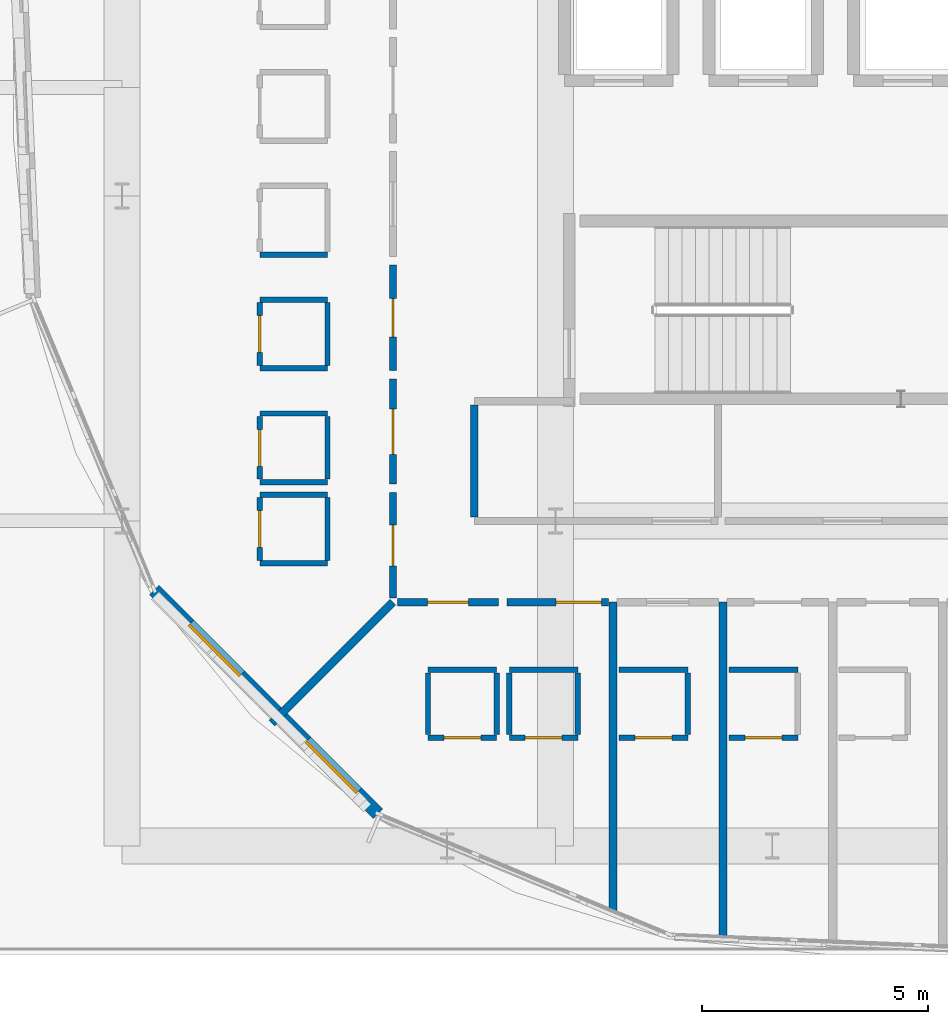
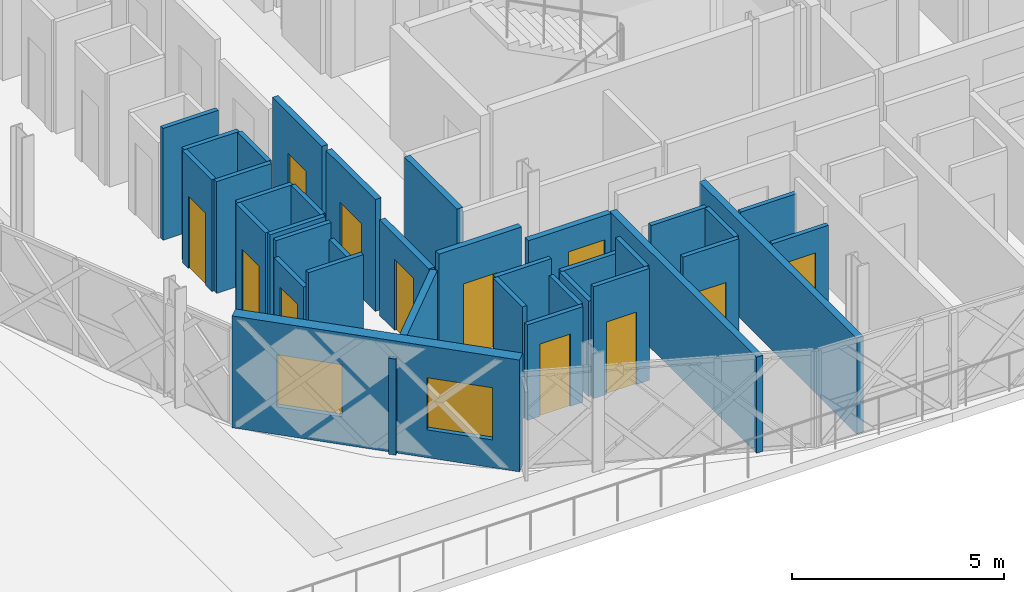
# One storey, part 30 of 53: 36 walls, 12 doors, 2 windows, 14 openings.
"""IFC4 building model written with IfcOpenShell, lengths in metres."""

import ifcopenshell
import ifcopenshell.guid

model = None  # the IFC model being written
_history = None  # IfcOwnerHistory: only IFC2X3 demands one
_inside = {}  # id of a spatial element -> (the spatial element, [elements in it])
_under = {}  # id of a project, library or spatial element -> (it, [spatial elements below it])
_declared = {}  # id of a project -> (the project, [libraries it declares])
_typed = {}  # id of a type object -> (the type object, [elements of that type])
_made_of = {}  # id of a material, layer set ... -> (it, [elements and type objects made of it])


def new_model(schema):
    """Start an empty IFC model of exactly this schema.

    Asked for "IFC4X3", IfcOpenShell would pick the latest addendum, in which some entities
    have other attributes; the version numbers below select the first issue.
    IFC2X3 requires an IfcOwnerHistory on every rooted entity: one is made here for all.
    """
    global model, _history
    if schema == "IFC4X3":
        model = ifcopenshell.file(schema_version=(4, 3, 0, 0))
    else:
        model = ifcopenshell.file(schema=schema)
    _inside.clear()
    _under.clear()
    _declared.clear()
    _typed.clear()
    _made_of.clear()
    _history = None
    if model.schema == "IFC2X3":
        org = make("IfcOrganization", Name="unknown")
        user = make(
            "IfcPersonAndOrganization",
            ThePerson=make("IfcPerson", FamilyName="unknown"),
            TheOrganization=org,
        )
        app = make(
            "IfcApplication",
            ApplicationDeveloper=org,
            Version="unknown",
            ApplicationFullName="unknown",
            ApplicationIdentifier="unknown",
        )
        _history = make(
            "IfcOwnerHistory",
            OwningUser=user,
            OwningApplication=app,
            ChangeAction="ADDED",
            CreationDate=0,
        )
    return model


def make(cls, **values):
    """One entity of the class cls with the attributes given. An attribute that is None is left unset."""
    return model.create_entity(
        cls, **{name: value for name, value in values.items() if value is not None}
    )


def rooted(cls, **values):
    """An entity with a GlobalId (a new one), such as an element, a storey or a relation."""
    return make(cls, GlobalId=ifcopenshell.guid.new(), OwnerHistory=_history, **values)


def si_unit(unit_type, name, prefix=None):
    """IfcSIUnit, for example si_unit("LENGTHUNIT", "METRE", prefix="MILLI")."""
    return make("IfcSIUnit", UnitType=unit_type, Prefix=prefix, Name=name)


def assignment(units):
    """IfcUnitAssignment: the units of a project."""
    return None if units is None else make("IfcUnitAssignment", Units=units)


def point(xyz):
    """IfcCartesianPoint."""
    return None if xyz is None else make("IfcCartesianPoint", Coordinates=xyz)


def direction(xyz):
    """IfcDirection."""
    return None if xyz is None else make("IfcDirection", DirectionRatios=xyz)


def frame(location, z_axis=None, x_axis=None):
    """IfcAxis2Placement3D, a coordinate frame: its origin and axes. An axis left out is left unset."""
    return make(
        "IfcAxis2Placement3D",
        Location=point(location),
        Axis=direction(z_axis),
        RefDirection=direction(x_axis),
    )


def frame_2d(location, x_axis=None):
    """IfcAxis2Placement2D, a coordinate frame in the plane: its origin and x axis."""
    return make(
        "IfcAxis2Placement2D", Location=point(location), RefDirection=direction(x_axis)
    )


def origin():
    """The frame at (0, 0, 0) with its axes left unset."""
    return frame((0.0, 0.0, 0.0))


def place(relative_to, where):
    """IfcLocalPlacement: puts the frame where relative to a parent placement (None: the world)."""
    return make(
        "IfcLocalPlacement", PlacementRelTo=relative_to, RelativePlacement=where
    )


def context(
    kind, dimensions, precision=None, world=None, true_north=None, identifier=None
):
    """IfcGeometricRepresentationContext, for example the 3D "Model" context."""
    return make(
        "IfcGeometricRepresentationContext",
        ContextIdentifier=identifier,
        ContextType=kind,
        CoordinateSpaceDimension=dimensions,
        Precision=precision,
        WorldCoordinateSystem=world,
        TrueNorth=true_north,
    )


def subcontext(parent, identifier, kind, view, scale=None):
    """IfcGeometricRepresentationSubContext, for example "Body" below "Model"."""
    return make(
        "IfcGeometricRepresentationSubContext",
        ContextIdentifier=identifier,
        ContextType=kind,
        ParentContext=parent,
        TargetScale=scale,
        TargetView=view,
    )


def project(units=None, contexts=None):
    """IfcProject with its units and contexts."""
    return rooted(
        "IfcProject",
        Name="project",
        RepresentationContexts=contexts,
        UnitsInContext=assignment(units),
    )


def spatial(cls, under=None, at=None, **own):
    """A site, building, storey or space (cls), placed at a placement, below another one or the project."""
    s = rooted(cls, ObjectPlacement=at, **own)
    if under is not None:
        _under.setdefault(under.id(), (under, []))[1].append(s)
    return s


def profile(cls, at=None, kind="AREA", **sizes):
    """A parametric profile (cls). Its sizes go by their IFC names, for example OverallWidth=200.0."""
    return make(cls, ProfileType=kind, Position=at, **sizes)


def rectangle(**sizes):
    """IfcRectangleProfileDef."""
    return profile("IfcRectangleProfileDef", **sizes)


def extrude(swept, where, along, depth):
    """IfcExtrudedAreaSolid: the profile swept, set in the frame where, extruded along a direction by depth."""
    return make(
        "IfcExtrudedAreaSolid",
        SweptArea=swept,
        Position=where,
        ExtrudedDirection=direction(along),
        Depth=depth,
    )


def shape(context_of_items, identifier, shape_type, items):
    """IfcShapeRepresentation: the items that make up one representation, for example the "Body"."""
    return make(
        "IfcShapeRepresentation",
        ContextOfItems=context_of_items,
        RepresentationIdentifier=identifier,
        RepresentationType=shape_type,
        Items=items,
    )


def material(Name=None, Category=None):
    """IfcMaterial."""
    return make("IfcMaterial", Name=Name, Category=Category)


def layer(
    of_material, thickness, ventilated=None, Name=None, Category=None, Priority=None
):
    """IfcMaterialLayer: one layer of a wall or slab, of a material (None: an air gap)."""
    return make(
        "IfcMaterialLayer",
        Material=of_material,
        LayerThickness=thickness,
        IsVentilated=ventilated,
        Name=Name,
        Category=Category,
        Priority=Priority,
    )


def layer_set(layers, Name=None):
    """IfcMaterialLayerSet."""
    return make("IfcMaterialLayerSet", MaterialLayers=layers, LayerSetName=Name)


def made_of(thing, what):
    """Note that an element or type object is made of a material, layer set ...; save() writes the relation."""
    if what is not None:
        _made_of.setdefault(what.id(), (what, []))[1].append(thing)
    return thing


def type_object(cls, material=None, **own):
    """A type object (cls), such as IfcWallType, which elements share."""
    return made_of(rooted(cls, **own), material)


def element(
    cls,
    number,
    at=None,
    inside=None,
    cuts=None,
    type_object=None,
    material=None,
    context=None,
    identifier="Body",
    shape_type=None,
    held_by="IfcProductDefinitionShape",
    body=None,
    shapes=None,
    **own,
):
    """One element of the class cls, such as IfcWall. Its Tag is "e" and its number.

    at: its placement. inside: the storey or other place that contains it. cuts: it is an
    opening in that element (IfcRelVoidsElement). A single representation is given by context,
    identifier, shape_type and body (its items); several are given by shapes. held_by: the class
    of the entity that holds the representations. save() writes the other relations.
    """
    e = rooted(cls, Tag="e%d" % number, ObjectPlacement=at, **own)
    if body is not None:
        shapes = [shape(context, identifier, shape_type, body)]
    if shapes is not None:
        e.Representation = make(held_by, Representations=shapes)
    if inside is not None:
        _inside.setdefault(inside.id(), (inside, []))[1].append(e)
    if cuts is not None:
        rooted(
            "IfcRelVoidsElement", RelatingBuildingElement=cuts, RelatedOpeningElement=e
        )
    if type_object is not None:
        _typed.setdefault(type_object.id(), (type_object, []))[1].append(e)
    return made_of(e, material)


def fill(opening, filler):
    """IfcRelFillsElement: the door or window that sits in an opening."""
    return rooted(
        "IfcRelFillsElement",
        RelatingOpeningElement=opening,
        RelatedBuildingElement=filler,
    )


def aggregate(whole, parts):
    """IfcRelAggregates: a whole, such as a stair, and the parts it consists of."""
    return rooted("IfcRelAggregates", RelatingObject=whole, RelatedObjects=parts)


def save(model, path):
    """Write the relations noted so far, then the file.

    IfcRelAggregates (storeys below a building ...), IfcRelContainedInSpatialStructure (elements
    in a storey), IfcRelDefinesByType, IfcRelAssociatesMaterial and IfcRelDeclares: one each for
    every whole, place, type object, material and project.
    """
    for whole, parts in _under.values():
        aggregate(whole, parts)
    for where, things in _inside.values():
        rooted(
            "IfcRelContainedInSpatialStructure",
            RelatedElements=things,
            RelatingStructure=where,
        )
    for kind, things in _typed.values():
        rooted("IfcRelDefinesByType", RelatedObjects=things, RelatingType=kind)
    for what, things in _made_of.values():
        rooted("IfcRelAssociatesMaterial", RelatedObjects=things, RelatingMaterial=what)
    for by, libraries in _declared.values():
        rooted("IfcRelDeclares", RelatingContext=by, RelatedDefinitions=libraries)
    model.write(path)


model = new_model("IFC4")

# Units and contexts
model_context = context("Model", 3, precision=1e-05, world=origin(), true_north=direction((0.0, 1.0)))
body_context = subcontext(model_context, "Body", "Model", "MODEL_VIEW")
ifc_project = project(units=[si_unit("LENGTHUNIT", "METRE"), si_unit("AREAUNIT", "SQUARE_METRE"), si_unit("VOLUMEUNIT", "CUBIC_METRE"), si_unit("PLANEANGLEUNIT", "RADIAN"), si_unit("MASSUNIT", "GRAM", prefix="KILO")], contexts=[model_context])

# Site, building, storey
site_placement = place(None, origin())
site = spatial("IfcSite", under=ifc_project, at=site_placement, CompositionType="ELEMENT")
building_placement = place(site_placement, origin())
building = spatial("IfcBuilding", under=site, at=building_placement, Name="Zevrakil Square Congress Hotel", CompositionType="ELEMENT")
storey_placement = place(building_placement, frame((0.0, 0.0, 14.699951171875)))
storey = spatial("IfcBuildingStorey", under=building, at=storey_placement, Name="L04", CompositionType="ELEMENT", Elevation=14.699951171875)

# Wall
ifc_material_1 = material(Name="Gypsum Acoustic Stud Partition")
ifc_layer_1 = layer(ifc_material_1, 0.159912109375)
ifc_layer_set_1 = layer_set([ifc_layer_1], Name="Gypsum Acoustic Stud Partition")
wall_type_1 = type_object("IfcWallType", Name="WAL-CORR-160", PredefinedType="PARTITIONING", material=ifc_layer_set_1)
wall_1_placement = place(storey_placement, frame((135.0, 16.885009765625, 0.0), z_axis=(0.0, 0.0, 1.0), x_axis=(0.0, 1.0, 0.0)))
element("IfcWall", 1, at=wall_1_placement, inside=storey, type_object=wall_type_1, Name="L04 interior partition PW-L04-0242", PredefinedType="PARTITIONING", context=body_context, shape_type="SweptSolid", body=[
    extrude(rectangle(XDim=2.47998046875, YDim=0.159912109375, at=frame_2d((1.239990234375, 0.0))), origin(), (0.0, 0.0, 1.0), 2.75),
])

# Wall, opening, door
wall_2_placement = place(storey_placement, frame((133.294921875, 15.0, 0.0), z_axis=(0.0, 0.0, 1.0), x_axis=(1.0, 0.0, 0.0)))
wall_2 = element("IfcWall", 2, at=wall_2_placement, inside=storey, type_object=wall_type_1, Name="L04 interior partition PW-L04-0260", PredefinedType="PARTITIONING", context=body_context, shape_type="SweptSolid", body=[
    extrude(rectangle(XDim=2.2451171875, YDim=0.159912109375, at=frame_2d((1.12255859375, 0.0))), origin(), (0.0, 0.0, 1.0), 3.215087890625),
])
opening_1_placement = place(wall_2_placement, frame((0.66650390625, 0.0, 0.0)))
opening_1 = element("IfcOpeningElement", 3, at=opening_1_placement, cuts=wall_2, Name="Opening ID-H06", PredefinedType="OPENING", context=body_context, shape_type="SweptSolid", body=[
    extrude(rectangle(XDim=0.912109375, YDim=2.1298828125, at=frame_2d((0.4560546875, 1.06494140625))), frame((0.0, 0.08984375, 0.0), z_axis=(0.0, -1.0, 0.0), x_axis=(1.0, 0.0, 0.0)), (0.0, 0.0, 1.0), 0.179931640625),
])
ifc_material_2 = material(Name="Acoustic Timber Fire Door", Category="wood")
door_type_1 = type_object("IfcDoorType", Name="DOR-INT-H06", OperationType="NOTDEFINED", PredefinedType="DOOR", material=ifc_material_2)
door_1_placement = place(opening_1_placement, origin())
door_1 = element("IfcDoor", 4, at=door_1_placement, inside=storey, type_object=door_type_1, Name="L04 interior door 109", OperationType="SINGLE_SWING_LEFT", OverallHeight=2.1298828125, OverallWidth=0.912109375, PredefinedType="DOOR", context=body_context, shape_type="SweptSolid", body=[
    extrude(rectangle(XDim=0.912109375, YDim=2.1298828125, at=frame_2d((0.4560546875, 1.06494140625))), frame((0.0, 0.02490234375, 0.0), z_axis=(0.0, -1.0, 0.0), x_axis=(1.0, 0.0, 0.0)), (0.0, 0.0, 1.0), 0.050048828125),
])
fill(opening_1, door_1)

wall_3_placement = place(storey_placement, frame((135.72998046875, 15.0, 0.0), z_axis=(0.0, 0.0, 1.0), x_axis=(1.0, 0.0, 0.0)))
wall_3 = element("IfcWall", 5, at=wall_3_placement, inside=storey, type_object=wall_type_1, Name="L04 interior partition PW-L04-0266", PredefinedType="PARTITIONING", context=body_context, shape_type="SweptSolid", body=[
    extrude(rectangle(XDim=2.2451171875, YDim=0.159912109375, at=frame_2d((1.12255859375, 0.0))), origin(), (0.0, 0.0, 1.0), 2.75),
])
opening_2_placement = place(wall_3_placement, frame((1.080078125, 0.0, 0.0)))
opening_2 = element("IfcOpeningElement", 6, at=opening_2_placement, cuts=wall_3, Name="Opening ID-G07", PredefinedType="OPENING", context=body_context, shape_type="SweptSolid", body=[
    extrude(rectangle(XDim=1.0048828125, YDim=2.050048828125, at=frame_2d((0.50244140625, 1.02490234375))), frame((0.0, 0.08984375, 0.0), z_axis=(0.0, -1.0, 0.0), x_axis=(1.0, 0.0, 0.0)), (0.0, 0.0, 1.0), 0.179931640625),
])
ifc_material_3 = material(Name="Acoustic Timber Fire Door", Category="wood")
door_type_2 = type_object("IfcDoorType", Name="DOR-INT-G07", OperationType="NOTDEFINED", PredefinedType="DOOR", material=ifc_material_3)
door_2_placement = place(opening_2_placement, origin())
door_2 = element("IfcDoor", 7, at=door_2_placement, inside=storey, type_object=door_type_2, Name="L04 interior door 111", OperationType="SINGLE_SWING_LEFT", OverallHeight=2.050048828125, OverallWidth=1.0048828125, PredefinedType="DOOR", context=body_context, shape_type="SweptSolid", body=[
    extrude(rectangle(XDim=1.0048828125, YDim=2.050048828125, at=frame_2d((0.50244140625, 1.02490234375))), frame((0.0, 0.02490234375, 0.0), z_axis=(0.0, -1.0, 0.0), x_axis=(1.0, 0.0, 0.0)), (0.0, 0.0, 1.0), 0.050048828125),
])
fill(opening_2, door_2)

wall_4_placement = place(storey_placement, frame((133.199951171875, 20.135009765625, 0.0), z_axis=(0.0, 0.0, 1.0), x_axis=(0.0, 1.0, 0.0)))
wall_4 = element("IfcWall", 8, at=wall_4_placement, inside=storey, type_object=wall_type_1, Name="L04 interior partition PW-L04-0440", PredefinedType="PARTITIONING", context=body_context, shape_type="SweptSolid", body=[
    extrude(rectangle(XDim=2.330078125, YDim=0.159912109375, at=frame_2d((1.1650390625, 0.0))), origin(), (0.0, 0.0, 1.0), 3.215087890625),
])
opening_3_placement = place(wall_4_placement, frame((0.737548828125, 0.0, 0.0)))
opening_3 = element("IfcOpeningElement", 9, at=opening_3_placement, cuts=wall_4, Name="Opening ID-G01", PredefinedType="OPENING", context=body_context, shape_type="SweptSolid", body=[
    extrude(rectangle(XDim=0.85498046875, YDim=2.050048828125, at=frame_2d((0.427490234375, 1.02490234375))), frame((0.0, 0.08984375, 0.0), z_axis=(0.0, -1.0, 0.0), x_axis=(1.0, 0.0, 0.0)), (0.0, 0.0, 1.0), 0.179931640625),
])
ifc_material_4 = material(Name="Acoustic Timber Fire Door", Category="wood")
door_type_3 = type_object("IfcDoorType", Name="DOR-INT-G01", OperationType="NOTDEFINED", PredefinedType="DOOR", material=ifc_material_4)
door_3_placement = place(opening_3_placement, origin())
door_3 = element("IfcDoor", 10, at=door_3_placement, inside=storey, type_object=door_type_3, Name="L04 interior door 179", OperationType="SINGLE_SWING_LEFT", OverallHeight=2.050048828125, OverallWidth=0.85498046875, PredefinedType="DOOR", context=body_context, shape_type="SweptSolid", body=[
    extrude(rectangle(XDim=0.85498046875, YDim=2.050048828125, at=frame_2d((0.427490234375, 1.02490234375))), frame((0.0, 0.02490234375, 0.0), z_axis=(0.0, -1.0, 0.0), x_axis=(1.0, 0.0, 0.0)), (0.0, 0.0, 1.0), 0.050048828125),
])
fill(opening_3, door_3)

wall_5_placement = place(storey_placement, frame((133.199951171875, 17.614990234375, 0.0), z_axis=(0.0, 0.0, 1.0), x_axis=(0.0, 1.0, 0.0)))
wall_5 = element("IfcWall", 11, at=wall_5_placement, inside=storey, type_object=wall_type_1, Name="L04 interior partition PW-L04-0445", PredefinedType="PARTITIONING", context=body_context, shape_type="SweptSolid", body=[
    extrude(rectangle(XDim=2.330078125, YDim=0.159912109375, at=frame_2d((1.1650390625, 0.0))), origin(), (0.0, 0.0, 1.0), 3.215087890625),
])
opening_4_placement = place(wall_5_placement, frame((0.660888671875, 0.0, 0.0)))
opening_4 = element("IfcOpeningElement", 12, at=opening_4_placement, cuts=wall_5, Name="Opening ID-H14", PredefinedType="OPENING", context=body_context, shape_type="SweptSolid", body=[
    extrude(rectangle(XDim=1.008056640625, YDim=2.1298828125, at=frame_2d((0.50390625, 1.06494140625))), frame((0.0, 0.08984375, 0.0), z_axis=(0.0, -1.0, 0.0), x_axis=(1.0, 0.0, 0.0)), (0.0, 0.0, 1.0), 0.179931640625),
])
ifc_material_5 = material(Name="Acoustic Timber Fire Door", Category="wood")
door_type_4 = type_object("IfcDoorType", Name="DOR-INT-H14", OperationType="NOTDEFINED", PredefinedType="DOOR", material=ifc_material_5)
door_4_placement = place(opening_4_placement, origin())
door_4 = element("IfcDoor", 13, at=door_4_placement, inside=storey, type_object=door_type_4, Name="L04 interior door 181", OperationType="SINGLE_SWING_LEFT", OverallHeight=2.1298828125, OverallWidth=1.008056640625, PredefinedType="DOOR", context=body_context, shape_type="SweptSolid", body=[
    extrude(rectangle(XDim=1.008056640625, YDim=2.1298828125, at=frame_2d((0.50390625, 1.06494140625))), frame((0.0, 0.02490234375, 0.0), z_axis=(0.0, -1.0, 0.0), x_axis=(1.0, 0.0, 0.0)), (0.0, 0.0, 1.0), 0.050048828125),
])
fill(opening_4, door_4)

wall_6_placement = place(storey_placement, frame((133.199951171875, 15.094970703125, 0.0), z_axis=(0.0, 0.0, 1.0), x_axis=(0.0, 1.0, 0.0)))
wall_6 = element("IfcWall", 14, at=wall_6_placement, inside=storey, type_object=wall_type_1, Name="L04 interior partition PW-L04-0450", PredefinedType="PARTITIONING", context=body_context, shape_type="SweptSolid", body=[
    extrude(rectangle(XDim=2.330078125, YDim=0.159912109375, at=frame_2d((1.1650390625, 0.0))), origin(), (0.0, 0.0, 1.0), 2.75),
])
opening_5_placement = place(wall_6_placement, frame((0.71240234375, 0.0, 0.0)))
opening_5 = element("IfcOpeningElement", 15, at=opening_5_placement, cuts=wall_6, Name="Opening ID-G03", PredefinedType="OPENING", context=body_context, shape_type="SweptSolid", body=[
    extrude(rectangle(XDim=0.905029296875, YDim=2.050048828125, at=frame_2d((0.45263671875, 1.02490234375))), frame((0.0, 0.08984375, 0.0), z_axis=(0.0, -1.0, 0.0), x_axis=(1.0, 0.0, 0.0)), (0.0, 0.0, 1.0), 0.179931640625),
])
ifc_material_6 = material(Name="Acoustic Timber Fire Door", Category="wood")
door_type_5 = type_object("IfcDoorType", Name="DOR-INT-G03", OperationType="NOTDEFINED", PredefinedType="DOOR", material=ifc_material_6)
door_5_placement = place(opening_5_placement, origin())
door_5 = element("IfcDoor", 16, at=door_5_placement, inside=storey, type_object=door_type_5, Name="L04 interior door 183", OperationType="SINGLE_SWING_LEFT", OverallHeight=2.050048828125, OverallWidth=0.905029296875, PredefinedType="DOOR", context=body_context, shape_type="SweptSolid", body=[
    extrude(rectangle(XDim=0.905029296875, YDim=2.050048828125, at=frame_2d((0.45263671875, 1.02490234375))), frame((0.0, 0.02490234375, 0.0), z_axis=(0.0, -1.0, 0.0), x_axis=(1.0, 0.0, 0.0)), (0.0, 0.0, 1.0), 0.050048828125),
])
fill(opening_5, door_5)

ifc_material_7 = material(Name="Moisture-Resistant Gypsum Partition")
ifc_layer_2 = layer(ifc_material_7, 0.1201171875)
ifc_layer_set_2 = layer_set([ifc_layer_2], Name="Moisture-Resistant Gypsum Partition")
wall_type_2 = type_object("IfcWallType", Name="WAL-ENS-120", PredefinedType="PARTITIONING", material=ifc_layer_set_2)
wall_7_placement = place(storey_placement, frame((133.97509765625, 12.0, 0.0), z_axis=(0.0, 0.0, 1.0), x_axis=(1.0, 0.0, 0.0)))
wall_7 = element("IfcWall", 17, at=wall_7_placement, inside=storey, type_object=wall_type_2, Name="L04 interior partition PW-L04-0261", PredefinedType="PARTITIONING", context=body_context, shape_type="SweptSolid", body=[
    extrude(rectangle(XDim=1.52001953125, YDim=0.1201171875, at=frame_2d((0.760009765625, 0.0))), origin(), (0.0, 0.0, 1.0), 2.75),
])
opening_6_placement = place(wall_7_placement, frame((0.35009765625, 0.0, 0.0)))
opening_6 = element("IfcOpeningElement", 18, at=opening_6_placement, cuts=wall_7, Name="Opening ID-11", PredefinedType="OPENING", context=body_context, shape_type="SweptSolid", body=[
    extrude(rectangle(XDim=0.820068359375, YDim=2.080078125, at=frame_2d((0.41015625, 1.0400390625))), frame((0.0, 0.070068359375, 0.0), z_axis=(0.0, -1.0, 0.0), x_axis=(1.0, 0.0, 0.0)), (0.0, 0.0, 1.0), 0.14013671875),
])
ifc_material_8 = material(Name="Acoustic Timber Door", Category="wood")
door_type_6 = type_object("IfcDoorType", Name="DOR-INT-V01", OperationType="NOTDEFINED", PredefinedType="DOOR", material=ifc_material_8)
door_6_placement = place(opening_6_placement, origin())
door_6 = element("IfcDoor", 19, at=door_6_placement, inside=storey, type_object=door_type_6, Name="L04 interior door 110", OperationType="SINGLE_SWING_RIGHT", OverallHeight=2.080078125, OverallWidth=0.820068359375, PredefinedType="DOOR", context=body_context, shape_type="SweptSolid", body=[
    extrude(rectangle(XDim=0.820068359375, YDim=2.080078125, at=frame_2d((0.41015625, 1.0400390625))), frame((0.0, 0.02490234375, 0.0), z_axis=(0.0, -1.0, 0.0), x_axis=(1.0, 0.0, 0.0)), (0.0, 0.0, 1.0), 0.050048828125),
])
fill(opening_6, door_6)

# Walls
wall_8_placement = place(storey_placement, frame((133.97509765625, 13.5, 0.0), z_axis=(0.0, 0.0, 1.0), x_axis=(1.0, 0.0, 0.0)))
element("IfcWall", 20, at=wall_8_placement, inside=storey, type_object=wall_type_2, Name="L04 interior partition PW-L04-0262", PredefinedType="PARTITIONING", context=body_context, shape_type="SweptSolid", body=[
    extrude(rectangle(XDim=1.52001953125, YDim=0.1201171875, at=frame_2d((0.760009765625, 0.0))), origin(), (0.0, 0.0, 1.0), 3.215087890625),
])
wall_9_placement = place(storey_placement, frame((133.97509765625, 12.06494140625, 0.0), z_axis=(0.0, 0.0, 1.0), x_axis=(0.0, 1.0, 0.0)))
element("IfcWall", 21, at=wall_9_placement, inside=storey, type_object=wall_type_2, Name="L04 interior partition PW-L04-0263", PredefinedType="PARTITIONING", context=body_context, shape_type="SweptSolid", body=[
    extrude(rectangle(XDim=1.3701171875, YDim=0.1201171875, at=frame_2d((0.68505859375, 0.0))), origin(), (0.0, 0.0, 1.0), 3.215087890625),
])
wall_10_placement = place(storey_placement, frame((135.4951171875, 12.06494140625, 0.0), z_axis=(0.0, 0.0, 1.0), x_axis=(0.0, 1.0, 0.0)))
element("IfcWall", 22, at=wall_10_placement, inside=storey, type_object=wall_type_2, Name="L04 interior partition PW-L04-0264", PredefinedType="PARTITIONING", context=body_context, shape_type="SweptSolid", body=[
    extrude(rectangle(XDim=1.3701171875, YDim=0.1201171875, at=frame_2d((0.68505859375, 0.0))), origin(), (0.0, 0.0, 1.0), 2.75),
])

# Wall, opening, door
wall_11_placement = place(storey_placement, frame((135.77490234375, 12.0, 0.0), z_axis=(0.0, 0.0, 1.0), x_axis=(1.0, 0.0, 0.0)))
wall_11 = element("IfcWall", 23, at=wall_11_placement, inside=storey, type_object=wall_type_2, Name="L04 interior partition PW-L04-0267", PredefinedType="PARTITIONING", context=body_context, shape_type="SweptSolid", body=[
    extrude(rectangle(XDim=1.52001953125, YDim=0.1201171875, at=frame_2d((0.760009765625, 0.0))), origin(), (0.0, 0.0, 1.0), 3.215087890625),
])
opening_7_placement = place(wall_11_placement, frame((0.35009765625, 0.0, 0.0)))
opening_7 = element("IfcOpeningElement", 24, at=opening_7_placement, cuts=wall_11, Name="Opening ID-11", PredefinedType="OPENING", context=body_context, shape_type="SweptSolid", body=[
    extrude(rectangle(XDim=0.820068359375, YDim=2.080078125, at=frame_2d((0.41015625, 1.0400390625))), frame((0.0, 0.070068359375, 0.0), z_axis=(0.0, -1.0, 0.0), x_axis=(1.0, 0.0, 0.0)), (0.0, 0.0, 1.0), 0.14013671875),
])
door_7_placement = place(opening_7_placement, origin())
door_7 = element("IfcDoor", 25, at=door_7_placement, inside=storey, type_object=door_type_6, Name="L04 interior door 112", OperationType="SINGLE_SWING_RIGHT", OverallHeight=2.080078125, OverallWidth=0.820068359375, PredefinedType="DOOR", context=body_context, shape_type="SweptSolid", body=[
    extrude(rectangle(XDim=0.820068359375, YDim=2.080078125, at=frame_2d((0.41015625, 1.0400390625))), frame((0.0, 0.02490234375, 0.0), z_axis=(0.0, -1.0, 0.0), x_axis=(1.0, 0.0, 0.0)), (0.0, 0.0, 1.0), 0.050048828125),
])
fill(opening_7, door_7)

# Walls
wall_12_placement = place(storey_placement, frame((135.77490234375, 13.5, 0.0), z_axis=(0.0, 0.0, 1.0), x_axis=(1.0, 0.0, 0.0)))
element("IfcWall", 26, at=wall_12_placement, inside=storey, type_object=wall_type_2, Name="L04 interior partition PW-L04-0268", PredefinedType="PARTITIONING", context=body_context, shape_type="SweptSolid", body=[
    extrude(rectangle(XDim=1.52001953125, YDim=0.1201171875, at=frame_2d((0.760009765625, 0.0))), origin(), (0.0, 0.0, 1.0), 2.75),
])
wall_13_placement = place(storey_placement, frame((135.77490234375, 12.06494140625, 0.0), z_axis=(0.0, 0.0, 1.0), x_axis=(0.0, 1.0, 0.0)))
element("IfcWall", 27, at=wall_13_placement, inside=storey, type_object=wall_type_2, Name="L04 interior partition PW-L04-0269", PredefinedType="PARTITIONING", context=body_context, shape_type="SweptSolid", body=[
    extrude(rectangle(XDim=1.3701171875, YDim=0.1201171875, at=frame_2d((0.68505859375, 0.0))), origin(), (0.0, 0.0, 1.0), 2.75),
])
wall_14_placement = place(storey_placement, frame((137.294921875, 12.06494140625, 0.0), z_axis=(0.0, 0.0, 1.0), x_axis=(0.0, 1.0, 0.0)))
element("IfcWall", 28, at=wall_14_placement, inside=storey, type_object=wall_type_2, Name="L04 interior partition PW-L04-0270", PredefinedType="PARTITIONING", context=body_context, shape_type="SweptSolid", body=[
    extrude(rectangle(XDim=1.3701171875, YDim=0.1201171875, at=frame_2d((0.68505859375, 0.0))), origin(), (0.0, 0.0, 1.0), 3.215087890625),
])

# Wall, opening, door
wall_15_placement = place(storey_placement, frame((138.2099609375, 12.0, 0.0), z_axis=(0.0, 0.0, 1.0), x_axis=(1.0, 0.0, 0.0)))
wall_15 = element("IfcWall", 29, at=wall_15_placement, inside=storey, type_object=wall_type_2, Name="L04 interior partition PW-L04-0273", PredefinedType="PARTITIONING", context=body_context, shape_type="SweptSolid", body=[
    extrude(rectangle(XDim=1.52001953125, YDim=0.1201171875, at=frame_2d((0.760009765625, 0.0))), origin(), (0.0, 0.0, 1.0), 3.215087890625),
])
opening_8_placement = place(wall_15_placement, frame((0.35009765625, 0.0, 0.0)))
opening_8 = element("IfcOpeningElement", 30, at=opening_8_placement, cuts=wall_15, Name="Opening ID-11", PredefinedType="OPENING", context=body_context, shape_type="SweptSolid", body=[
    extrude(rectangle(XDim=0.820068359375, YDim=2.080078125, at=frame_2d((0.41015625, 1.0400390625))), frame((0.0, 0.070068359375, 0.0), z_axis=(0.0, -1.0, 0.0), x_axis=(1.0, 0.0, 0.0)), (0.0, 0.0, 1.0), 0.14013671875),
])
door_8_placement = place(opening_8_placement, origin())
door_8 = element("IfcDoor", 31, at=door_8_placement, inside=storey, type_object=door_type_6, Name="L04 interior door 114", OperationType="SINGLE_SWING_RIGHT", OverallHeight=2.080078125, OverallWidth=0.820068359375, PredefinedType="DOOR", context=body_context, shape_type="SweptSolid", body=[
    extrude(rectangle(XDim=0.820068359375, YDim=2.080078125, at=frame_2d((0.41015625, 1.0400390625))), frame((0.0, 0.02490234375, 0.0), z_axis=(0.0, -1.0, 0.0), x_axis=(1.0, 0.0, 0.0)), (0.0, 0.0, 1.0), 0.050048828125),
])
fill(opening_8, door_8)

# Walls
wall_16_placement = place(storey_placement, frame((138.2099609375, 13.5, 0.0), z_axis=(0.0, 0.0, 1.0), x_axis=(1.0, 0.0, 0.0)))
element("IfcWall", 32, at=wall_16_placement, inside=storey, type_object=wall_type_2, Name="L04 interior partition PW-L04-0274", PredefinedType="PARTITIONING", context=body_context, shape_type="SweptSolid", body=[
    extrude(rectangle(XDim=1.52001953125, YDim=0.1201171875, at=frame_2d((0.760009765625, 0.0))), origin(), (0.0, 0.0, 1.0), 3.215087890625),
])
wall_17_placement = place(storey_placement, frame((139.72998046875, 12.06494140625, 0.0), z_axis=(0.0, 0.0, 1.0), x_axis=(0.0, 1.0, 0.0)))
element("IfcWall", 33, at=wall_17_placement, inside=storey, type_object=wall_type_2, Name="L04 interior partition PW-L04-0275", PredefinedType="PARTITIONING", context=body_context, shape_type="SweptSolid", body=[
    extrude(rectangle(XDim=1.3701171875, YDim=0.1201171875, at=frame_2d((0.68505859375, 0.0))), origin(), (0.0, 0.0, 1.0), 3.215087890625),
])

# Wall, opening, door
wall_18_placement = place(storey_placement, frame((140.64501953125, 12.0, 0.0), z_axis=(0.0, 0.0, 1.0), x_axis=(1.0, 0.0, 0.0)))
wall_18 = element("IfcWall", 34, at=wall_18_placement, inside=storey, type_object=wall_type_2, Name="L04 interior partition PW-L04-0278", PredefinedType="PARTITIONING", context=body_context, shape_type="SweptSolid", body=[
    extrude(rectangle(XDim=1.52001953125, YDim=0.1201171875, at=frame_2d((0.760009765625, 0.0))), origin(), (0.0, 0.0, 1.0), 2.75),
])
opening_9_placement = place(wall_18_placement, frame((0.35009765625, 0.0, 0.0)))
opening_9 = element("IfcOpeningElement", 35, at=opening_9_placement, cuts=wall_18, Name="Opening ID-11", PredefinedType="OPENING", context=body_context, shape_type="SweptSolid", body=[
    extrude(rectangle(XDim=0.820068359375, YDim=2.080078125, at=frame_2d((0.41015625, 1.0400390625))), frame((0.0, 0.070068359375, 0.0), z_axis=(0.0, -1.0, 0.0), x_axis=(1.0, 0.0, 0.0)), (0.0, 0.0, 1.0), 0.14013671875),
])
door_9_placement = place(opening_9_placement, origin())
door_9 = element("IfcDoor", 36, at=door_9_placement, inside=storey, type_object=door_type_6, Name="L04 interior door 116", OperationType="SINGLE_SWING_RIGHT", OverallHeight=2.080078125, OverallWidth=0.820068359375, PredefinedType="DOOR", context=body_context, shape_type="SweptSolid", body=[
    extrude(rectangle(XDim=0.820068359375, YDim=2.080078125, at=frame_2d((0.41015625, 1.0400390625))), frame((0.0, 0.02490234375, 0.0), z_axis=(0.0, -1.0, 0.0), x_axis=(1.0, 0.0, 0.0)), (0.0, 0.0, 1.0), 0.050048828125),
])
fill(opening_9, door_9)

# Walls
wall_19_placement = place(storey_placement, frame((140.64501953125, 13.5, 0.0), z_axis=(0.0, 0.0, 1.0), x_axis=(1.0, 0.0, 0.0)))
element("IfcWall", 37, at=wall_19_placement, inside=storey, type_object=wall_type_2, Name="L04 interior partition PW-L04-0279", PredefinedType="PARTITIONING", context=body_context, shape_type="SweptSolid", body=[
    extrude(rectangle(XDim=1.52001953125, YDim=0.1201171875, at=frame_2d((0.760009765625, 0.0))), origin(), (0.0, 0.0, 1.0), 2.75),
])
for number, where, z_axis, x_axis, name in (
    (38, (130.25, 22.699951171875, 0.0), (0.0, 0.0, 1.0), (1.0, 0.0, 0.0), "L04 interior partition PW-L04-0436"),
    (39, (130.25, 20.179931640625, 0.0), (0.0, 0.0, 1.0), (1.0, 0.0, 0.0), "L04 interior partition PW-L04-0441"),
    (40, (130.25, 21.699951171875, 0.0), (0.0, 0.0, 1.0), (1.0, 0.0, 0.0), "L04 interior partition PW-L04-0442"),
):
    element("IfcWall", number, at=place(storey_placement, frame(where, z_axis=z_axis, x_axis=x_axis)), inside=storey, type_object=wall_type_2, Name=name, PredefinedType="PARTITIONING", context=body_context, shape_type="SweptSolid", body=[
        extrude(rectangle(XDim=1.5, YDim=0.1201171875, at=frame_2d((0.75, 0.0))), origin(), (0.0, 0.0, 1.0), 3.215087890625),
    ])

# Wall, opening, door
wall_20_placement = place(storey_placement, frame((130.25, 20.2451171875, 0.0), z_axis=(0.0, 0.0, 1.0), x_axis=(0.0, 1.0, 0.0)))
wall_20 = element("IfcWall", 41, at=wall_20_placement, inside=storey, type_object=wall_type_2, Name="L04 interior partition PW-L04-0443", PredefinedType="PARTITIONING", context=body_context, shape_type="SweptSolid", body=[
    extrude(rectangle(XDim=1.389892578125, YDim=0.1201171875, at=frame_2d((0.69482421875, 0.0))), origin(), (0.0, 0.0, 1.0), 3.215087890625),
])
opening_10_placement = place(wall_20_placement, frame((0.284912109375, 0.0, 0.0)))
opening_10 = element("IfcOpeningElement", 42, at=opening_10_placement, cuts=wall_20, Name="Opening ID-11", PredefinedType="OPENING", context=body_context, shape_type="SweptSolid", body=[
    extrude(rectangle(XDim=0.820068359375, YDim=2.080078125, at=frame_2d((0.41015625, 1.0400390625))), frame((0.0, 0.070068359375, 0.0), z_axis=(0.0, -1.0, 0.0), x_axis=(1.0, 0.0, 0.0)), (0.0, 0.0, 1.0), 0.14013671875),
])
door_10_placement = place(opening_10_placement, origin())
door_10 = element("IfcDoor", 43, at=door_10_placement, inside=storey, type_object=door_type_6, Name="L04 interior door 180", OperationType="SINGLE_SWING_RIGHT", OverallHeight=2.080078125, OverallWidth=0.820068359375, PredefinedType="DOOR", context=body_context, shape_type="SweptSolid", body=[
    extrude(rectangle(XDim=0.820068359375, YDim=2.080078125, at=frame_2d((0.41015625, 1.0400390625))), frame((0.0, 0.02490234375, 0.0), z_axis=(0.0, -1.0, 0.0), x_axis=(1.0, 0.0, 0.0)), (0.0, 0.0, 1.0), 0.050048828125),
])
fill(opening_10, door_10)

# Walls
wall_21_placement = place(storey_placement, frame((131.75, 20.2451171875, 0.0), z_axis=(0.0, 0.0, 1.0), x_axis=(0.0, 1.0, 0.0)))
element("IfcWall", 44, at=wall_21_placement, inside=storey, type_object=wall_type_2, Name="L04 interior partition PW-L04-0444", PredefinedType="PARTITIONING", context=body_context, shape_type="SweptSolid", body=[
    extrude(rectangle(XDim=1.389892578125, YDim=0.1201171875, at=frame_2d((0.69482421875, 0.0))), origin(), (0.0, 0.0, 1.0), 3.215087890625),
])
for number, where, z_axis, x_axis, name in (
    (45, (130.25, 17.659912109375, 0.0), (0.0, 0.0, 1.0), (1.0, 0.0, 0.0), "L04 interior partition PW-L04-0446"),
    (46, (130.25, 19.179931640625, 0.0), (0.0, 0.0, 1.0), (1.0, 0.0, 0.0), "L04 interior partition PW-L04-0447"),
):
    element("IfcWall", number, at=place(storey_placement, frame(where, z_axis=z_axis, x_axis=x_axis)), inside=storey, type_object=wall_type_2, Name=name, PredefinedType="PARTITIONING", context=body_context, shape_type="SweptSolid", body=[
        extrude(rectangle(XDim=1.5, YDim=0.1201171875, at=frame_2d((0.75, 0.0))), origin(), (0.0, 0.0, 1.0), 3.215087890625),
    ])

# Wall, opening, door
wall_22_placement = place(storey_placement, frame((130.25, 17.72509765625, 0.0), z_axis=(0.0, 0.0, 1.0), x_axis=(0.0, 1.0, 0.0)))
wall_22 = element("IfcWall", 47, at=wall_22_placement, inside=storey, type_object=wall_type_2, Name="L04 interior partition PW-L04-0448", PredefinedType="PARTITIONING", context=body_context, shape_type="SweptSolid", body=[
    extrude(rectangle(XDim=1.389892578125, YDim=0.1201171875, at=frame_2d((0.69482421875, 0.0))), origin(), (0.0, 0.0, 1.0), 3.215087890625),
])
opening_11_placement = place(wall_22_placement, frame((0.284912109375, 0.0, 0.0)))
opening_11 = element("IfcOpeningElement", 48, at=opening_11_placement, cuts=wall_22, Name="Opening ID-11", PredefinedType="OPENING", context=body_context, shape_type="SweptSolid", body=[
    extrude(rectangle(XDim=0.820068359375, YDim=2.080078125, at=frame_2d((0.41015625, 1.0400390625))), frame((0.0, 0.070068359375, 0.0), z_axis=(0.0, -1.0, 0.0), x_axis=(1.0, 0.0, 0.0)), (0.0, 0.0, 1.0), 0.14013671875),
])
door_11_placement = place(opening_11_placement, origin())
door_11 = element("IfcDoor", 49, at=door_11_placement, inside=storey, type_object=door_type_6, Name="L04 interior door 182", OperationType="SINGLE_SWING_RIGHT", OverallHeight=2.080078125, OverallWidth=0.820068359375, PredefinedType="DOOR", context=body_context, shape_type="SweptSolid", body=[
    extrude(rectangle(XDim=0.820068359375, YDim=2.080078125, at=frame_2d((0.41015625, 1.0400390625))), frame((0.0, 0.02490234375, 0.0), z_axis=(0.0, -1.0, 0.0), x_axis=(1.0, 0.0, 0.0)), (0.0, 0.0, 1.0), 0.050048828125),
])
fill(opening_11, door_11)

# Walls
wall_23_placement = place(storey_placement, frame((131.75, 17.72509765625, 0.0), z_axis=(0.0, 0.0, 1.0), x_axis=(0.0, 1.0, 0.0)))
element("IfcWall", 50, at=wall_23_placement, inside=storey, type_object=wall_type_2, Name="L04 interior partition PW-L04-0449", PredefinedType="PARTITIONING", context=body_context, shape_type="SweptSolid", body=[
    extrude(rectangle(XDim=1.389892578125, YDim=0.1201171875, at=frame_2d((0.69482421875, 0.0))), origin(), (0.0, 0.0, 1.0), 3.215087890625),
])
for number, where, z_axis, x_axis, name in (
    (51, (130.25, 15.860107421875, 0.0), (0.0, 0.0, 1.0), (1.0, 0.0, 0.0), "L04 interior partition PW-L04-0451"),
    (52, (130.25, 17.3798828125, 0.0), (0.0, 0.0, 1.0), (1.0, 0.0, 0.0), "L04 interior partition PW-L04-0452"),
):
    element("IfcWall", number, at=place(storey_placement, frame(where, z_axis=z_axis, x_axis=x_axis)), inside=storey, type_object=wall_type_2, Name=name, PredefinedType="PARTITIONING", context=body_context, shape_type="SweptSolid", body=[
        extrude(rectangle(XDim=1.5, YDim=0.1201171875, at=frame_2d((0.75, 0.0))), origin(), (0.0, 0.0, 1.0), 3.215087890625),
    ])

# Wall, opening, door
wall_24_placement = place(storey_placement, frame((130.25, 15.925048828125, 0.0), z_axis=(0.0, 0.0, 1.0), x_axis=(0.0, 1.0, 0.0)))
wall_24 = element("IfcWall", 53, at=wall_24_placement, inside=storey, type_object=wall_type_2, Name="L04 interior partition PW-L04-0453", PredefinedType="PARTITIONING", context=body_context, shape_type="SweptSolid", body=[
    extrude(rectangle(XDim=1.389892578125, YDim=0.1201171875, at=frame_2d((0.69482421875, 0.0))), origin(), (0.0, 0.0, 1.0), 2.75),
])
opening_12_placement = place(wall_24_placement, frame((0.284912109375, 0.0, 0.0)))
opening_12 = element("IfcOpeningElement", 54, at=opening_12_placement, cuts=wall_24, Name="Opening ID-11", PredefinedType="OPENING", context=body_context, shape_type="SweptSolid", body=[
    extrude(rectangle(XDim=0.820068359375, YDim=2.080078125, at=frame_2d((0.41015625, 1.0400390625))), frame((0.0, 0.070068359375, 0.0), z_axis=(0.0, -1.0, 0.0), x_axis=(1.0, 0.0, 0.0)), (0.0, 0.0, 1.0), 0.14013671875),
])
door_12_placement = place(opening_12_placement, origin())
door_12 = element("IfcDoor", 55, at=door_12_placement, inside=storey, type_object=door_type_6, Name="L04 interior door 184", OperationType="SINGLE_SWING_RIGHT", OverallHeight=2.080078125, OverallWidth=0.820068359375, PredefinedType="DOOR", context=body_context, shape_type="SweptSolid", body=[
    extrude(rectangle(XDim=0.820068359375, YDim=2.080078125, at=frame_2d((0.41015625, 1.0400390625))), frame((0.0, 0.02490234375, 0.0), z_axis=(0.0, -1.0, 0.0), x_axis=(1.0, 0.0, 0.0)), (0.0, 0.0, 1.0), 0.050048828125),
])
fill(opening_12, door_12)

# Wall
wall_25_placement = place(storey_placement, frame((131.75, 15.925048828125, 0.0), z_axis=(0.0, 0.0, 1.0), x_axis=(0.0, 1.0, 0.0)))
element("IfcWall", 56, at=wall_25_placement, inside=storey, type_object=wall_type_2, Name="L04 interior partition PW-L04-0454", PredefinedType="PARTITIONING", context=body_context, shape_type="SweptSolid", body=[
    extrude(rectangle(XDim=1.389892578125, YDim=0.1201171875, at=frame_2d((0.69482421875, 0.0))), origin(), (0.0, 0.0, 1.0), 2.75),
])

# Wall, openings, windows
ifc_material_9 = material(Name="Precast concrete C40/50", Category="concrete")
ifc_layer_3 = layer(ifc_material_9, 0.300048828125)
ifc_layer_set_3 = layer_set([ifc_layer_3], Name="Precast concrete C40/50")
wall_type_3 = type_object("IfcWallType", Name="WAL-EXT-DRM-300", PredefinedType="SOLIDWALL", material=ifc_layer_set_3)
wall_26_placement = place(storey_placement, frame((127.916015625, 15.269775390625, 0.0), z_axis=(0.0, 0.0, 1.0), x_axis=(0.707089356394, -0.707124205549, 0.0)))
wall_26 = element("IfcWall", 57, at=wall_26_placement, inside=storey, type_object=wall_type_3, Name="L04 exterior GRC wall EW-L04-0130", PredefinedType="SOLIDWALL", context=body_context, shape_type="SweptSolid", body=[
    extrude(rectangle(XDim=7.005615234375, YDim=0.300048828125, at=frame_2d((3.5029296875, 0.0))), origin(), (0.0, 0.0, 1.0), 3.215087890625),
])
opening_13_placement = place(wall_26_placement, frame((4.746337890625, 0.0, 0.800048828125)))
opening_13 = element("IfcOpeningElement", 58, at=opening_13_placement, cuts=wall_26, Name="Opening WN-09", PredefinedType="OPENING", context=body_context, shape_type="SweptSolid", body=[
    extrude(rectangle(XDim=1.60009765625, YDim=1.5, at=frame_2d((0.800048828125, 0.75))), frame((0.0, 0.16015625, 0.0), z_axis=(0.0, -1.0, 0.0), x_axis=(1.0, 0.0, 0.0)), (0.0, 0.0, 1.0), 0.320068359375),
])
opening_14_placement = place(wall_26_placement, frame((1.08349609375, 0.0, 0.800048828125)))
opening_14 = element("IfcOpeningElement", 59, at=opening_14_placement, cuts=wall_26, Name="Opening WN-09", PredefinedType="OPENING", context=body_context, shape_type="SweptSolid", body=[
    extrude(rectangle(XDim=1.60009765625, YDim=1.5, at=frame_2d((0.800048828125, 0.75))), frame((0.0, 0.16015625, 0.0), z_axis=(0.0, -1.0, 0.0), x_axis=(1.0, 0.0, 0.0)), (0.0, 0.0, 1.0), 0.320068359375),
])
ifc_material_10 = material(Name="Low-E Solar Control Double Glazing", Category="glass")
window_type = type_object("IfcWindowType", Name="WIN-EXT-09", PartitioningType="SINGLE_PANEL", PredefinedType="WINDOW", material=ifc_material_10)
window_1_placement = place(opening_13_placement, origin())
window_1 = element("IfcWindow", 60, at=window_1_placement, inside=storey, type_object=window_type, Name="L04 hotel guestroom low-E window 104", OverallHeight=1.5, OverallWidth=1.60009765625, PartitioningType="SINGLE_PANEL", PredefinedType="WINDOW", context=body_context, shape_type="SweptSolid", body=[
    extrude(rectangle(XDim=1.60009765625, YDim=1.5, at=frame_2d((0.800048828125, 0.75))), frame((0.0, 0.030029296875, 0.0), z_axis=(0.0, -1.0, 0.0), x_axis=(1.0, 0.0, 0.0)), (0.0, 0.0, 1.0), 0.06005859375),
])
fill(opening_13, window_1)
window_2_placement = place(opening_14_placement, origin())
window_2 = element("IfcWindow", 61, at=window_2_placement, inside=storey, type_object=window_type, Name="L04 hotel guestroom low-E window 105", OverallHeight=1.5, OverallWidth=1.60009765625, PartitioningType="SINGLE_PANEL", PredefinedType="WINDOW", context=body_context, shape_type="SweptSolid", body=[
    extrude(rectangle(XDim=1.60009765625, YDim=1.5, at=frame_2d((0.800048828125, 0.75))), frame((0.0, 0.030029296875, 0.0), z_axis=(0.0, -1.0, 0.0), x_axis=(1.0, 0.0, 0.0)), (0.0, 0.0, 1.0), 0.06005859375),
])
fill(opening_14, window_2)

# Walls
ifc_material_11 = material(Name="Gypsum Twin-Stud Party Partition")
ifc_layer_4 = layer(ifc_material_11, 0.179931640625)
ifc_layer_set_4 = layer_set([ifc_layer_4], Name="Gypsum Twin-Stud Party Partition")
wall_type_4 = type_object("IfcWallType", Name="WAL-PARTY-180", PredefinedType="PARTITIONING", material=ifc_layer_set_4)
wall_27_placement = place(storey_placement, frame((133.199951171875, 15.0, 0.0), z_axis=(0.0, 0.0, 1.0), x_axis=(-0.707106781187, -0.707106781187, 0.0)))
element("IfcWall", 62, at=wall_27_placement, inside=storey, type_object=wall_type_4, Name="L04 interior partition PW-L04-0265", PredefinedType="PARTITIONING", context=body_context, shape_type="SweptSolid", body=[
    extrude(rectangle(XDim=3.78857421875, YDim=0.179931640625, at=frame_2d((1.894287109375, 0.0))), origin(), (0.0, 0.0, 1.0), 2.760009765625),
])
wall_28_placement = place(storey_placement, frame((138.070068359375, 8.07958984375, 0.0), z_axis=(0.0, 0.0, 1.0), x_axis=(0.0, 1.0, 0.0)))
element("IfcWall", 63, at=wall_28_placement, inside=storey, type_object=wall_type_4, Name="L04 interior partition PW-L04-0271", PredefinedType="PARTITIONING", context=body_context, shape_type="SweptSolid", body=[
    extrude(rectangle(XDim=6.92041015625, YDim=0.179931640625, at=frame_2d((3.460205078125, 0.0))), origin(), (0.0, 0.0, 1.0), 2.760009765625),
])
wall_29_placement = place(storey_placement, frame((140.5048828125, 7.572998046875, 0.0), z_axis=(0.0, 0.0, 1.0), x_axis=(0.0, 1.0, 0.0)))
element("IfcWall", 64, at=wall_29_placement, inside=storey, type_object=wall_type_4, Name="L04 interior partition PW-L04-0276", PredefinedType="PARTITIONING", context=body_context, shape_type="SweptSolid", body=[
    extrude(rectangle(XDim=7.427001953125, YDim=0.179931640625, at=frame_2d((3.71337890625, 0.0))), origin(), (0.0, 0.0, 1.0), 2.760009765625),
])

save(model, "model.ifc")
